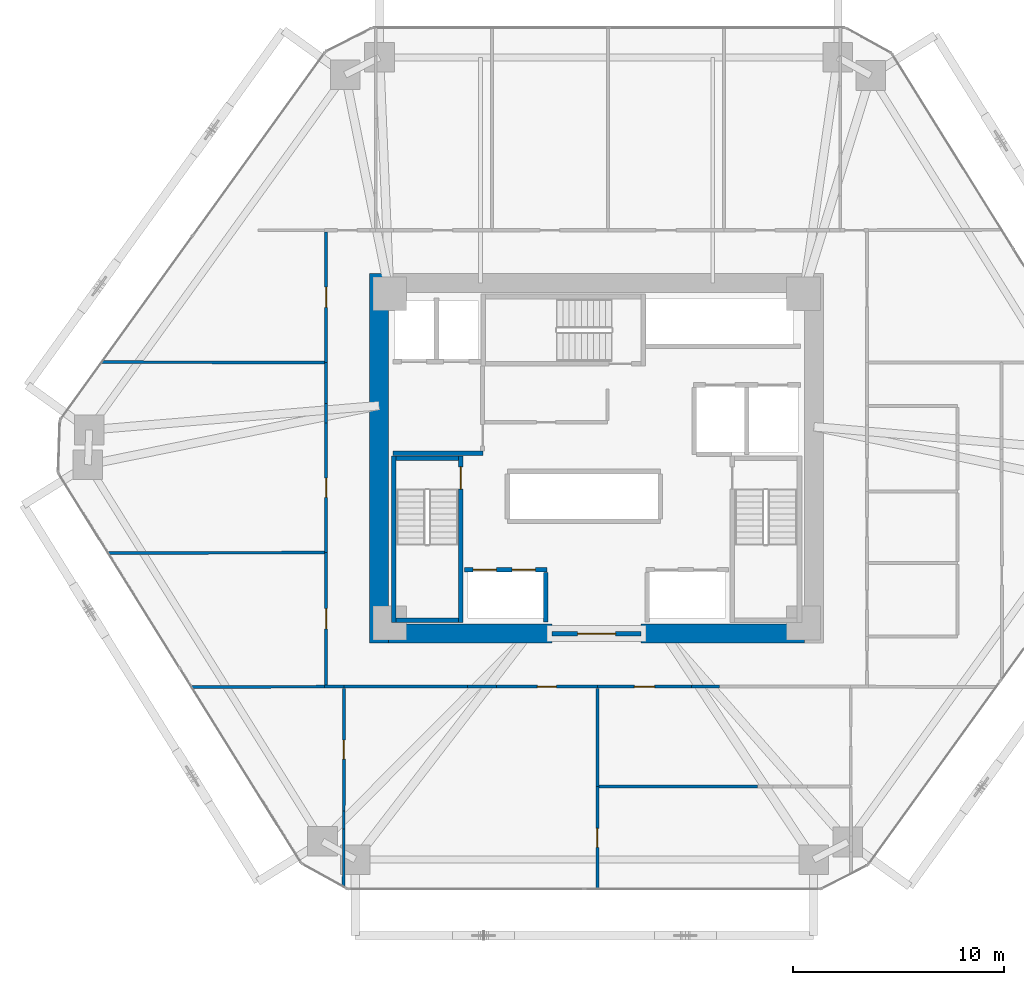
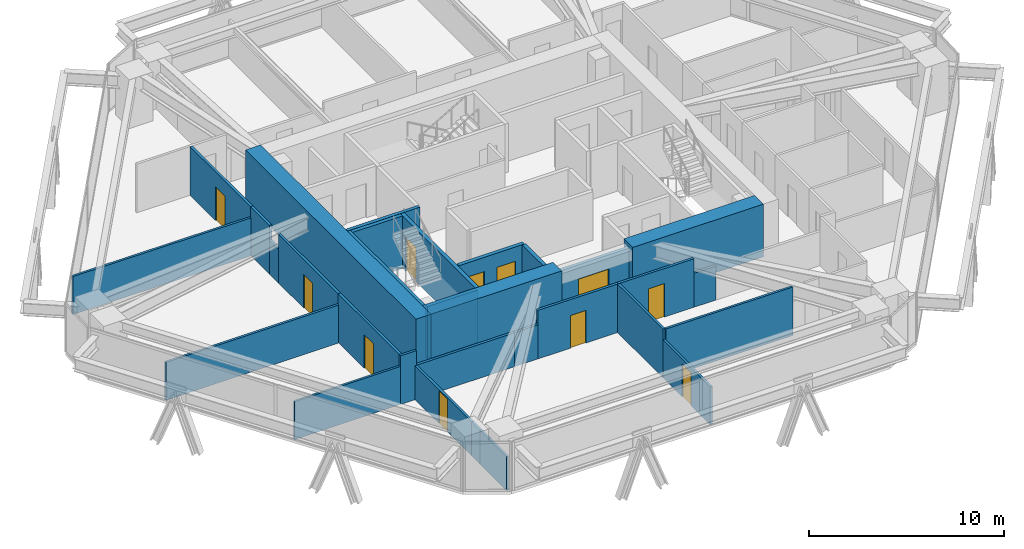
# One storey, part 13 of 17: 31 walls, 11 doors, 11 openings.
"""IFC4 building model written with IfcOpenShell, lengths in metres."""

from ifc_helpers import new_model, si_unit, direction, frame, frame_2d, origin, place, context, subcontext, project, spatial, rectangle, extrude, source, transform, mapped, material, layer, layer_set, type_object, type_shapes, element, fill, save


model = new_model("IFC4")

# Units and contexts
model_context = context("Model", 3, precision=1e-05, world=origin(), true_north=direction((0.0, 1.0)))
body_context = subcontext(model_context, "Body", "Model", "MODEL_VIEW")
ifc_project = project(units=[si_unit("LENGTHUNIT", "METRE"), si_unit("AREAUNIT", "SQUARE_METRE"), si_unit("VOLUMEUNIT", "CUBIC_METRE"), si_unit("PLANEANGLEUNIT", "RADIAN"), si_unit("MASSUNIT", "GRAM", prefix="KILO")], contexts=[model_context])

# Site, building, storey
site_placement = place(None, origin())
site = spatial("IfcSite", under=ifc_project, at=site_placement, CompositionType="ELEMENT")
building_placement = place(site_placement, origin())
building = spatial("IfcBuilding", under=site, at=building_placement, Name="Durnholm Broadcast Tower", CompositionType="ELEMENT")
storey_placement = place(building_placement, frame((0.0, 0.0, 72.0)))
storey = spatial("IfcBuildingStorey", under=building, at=storey_placement, Name="L18", CompositionType="ELEMENT", Elevation=72.0)

# Walls
ifc_material_1 = material(Name="Concrete C70/85", Category="concrete")
ifc_layer_1 = layer(ifc_material_1, 0.89990234375)
ifc_layer_set_1 = layer_set([ifc_layer_1], Name="Concrete C70/85")
wall_type_1 = type_object("IfcWallType", Name="WALL-CW-900", PredefinedType="SHEAR", material=ifc_layer_set_1)
wall_1_placement = place(storey_placement, frame((-10.300048828125, -8.75, 0.0), z_axis=(0.0, 0.0, 1.0), x_axis=(0.0, 1.0, 0.0)))
element("IfcWall", 1, at=wall_1_placement, inside=storey, type_object=wall_type_1, Name="L18 central core shear wall CW-WEST", PredefinedType="SHEAR", context=body_context, shape_type="SweptSolid", body=[
    extrude(rectangle(XDim=17.5, YDim=0.89990234375, at=frame_2d((8.75, 0.0))), origin(), (0.0, 0.0, 1.0), 3.300048828125),
])
for number, where, z_axis, x_axis, name in (
    (2, (-9.85009765625, -8.300048828125, 0.0), (0.0, 0.0, 1.0), (1.0, 0.0, 0.0), "L18 central core shear wall CW-S1"),
    (3, (2.10009765625, -8.300048828125, 0.0), (0.0, 0.0, 1.0), (1.0, 0.0, 0.0), "L18 central core shear wall CW-S2"),
):
    element("IfcWall", number, at=place(storey_placement, frame(where, z_axis=z_axis, x_axis=x_axis)), inside=storey, type_object=wall_type_1, Name=name, PredefinedType="SHEAR", context=body_context, shape_type="SweptSolid", body=[
        extrude(rectangle(XDim=7.75, YDim=0.89990234375, at=frame_2d((3.875, 0.0))), origin(), (0.0, 0.0, 1.0), 3.300048828125),
    ])

# Wall, opening, door
ifc_material_2 = material(Name="Fire-Rated Gypsum Shaftwall", Category="concrete")
ifc_layer_2 = layer(ifc_material_2, 0.199951171875)
ifc_layer_set_2 = layer_set([ifc_layer_2], Name="Fire-Rated Gypsum Shaftwall")
wall_type_2 = type_object("IfcWallType", Name="WALL-LOB-200", PredefinedType="SOLIDWALL", material=ifc_layer_set_2)
wall_2_placement = place(storey_placement, frame((-2.10009765625, -8.300048828125, 0.0), z_axis=(0.0, 0.0, 1.0), x_axis=(1.0, 0.0, 0.0)))
wall_2 = element("IfcWall", 4, at=wall_2_placement, inside=storey, type_object=wall_type_2, Name="L18 south core lobby fire screen", PredefinedType="SOLIDWALL", context=body_context, shape_type="SweptSolid", body=[
    extrude(rectangle(XDim=4.2001953125, YDim=0.199951171875, at=frame_2d((2.10009765625, 0.0))), origin(), (0.0, 0.0, 1.0), 3.044921875),
])
opening_1_placement = place(wall_2_placement, frame((1.199951171875, 0.0, 0.0)))
opening_1 = element("IfcOpeningElement", 5, at=opening_1_placement, cuts=wall_2, Name="Opening DP-60", PredefinedType="OPENING", context=body_context, shape_type="SweptSolid", body=[
    extrude(rectangle(XDim=1.800048828125, YDim=2.14990234375, at=frame_2d((0.89990234375, 1.074951171875))), frame((0.0, 0.10986328125, 0.0), z_axis=(0.0, -1.0, 0.0), x_axis=(1.0, 0.0, 0.0)), (0.0, 0.0, 1.0), 0.219970703125),
])
ifc_material_3 = material(Name="Fire-Rated Double Corridor Door", Category="steel")
ifc_layer_3 = layer(ifc_material_3, 0.050048828125)
ifc_layer_set_3 = layer_set([ifc_layer_3], Name="Fire-Rated Double Corridor Door")
door_type_1 = type_object("IfcDoorType", Name="DOOR-PAIR-FD60", OperationType="DOUBLE_DOOR_SINGLE_SWING", PredefinedType="DOOR", material=ifc_layer_set_3)
shared_shape_1 = source(origin(), body_context, "Body", "SweptSolid", [
    extrude(rectangle(XDim=1.800048828125, YDim=2.14990234375, at=frame_2d((0.89990234375, 1.074951171875))), frame((0.0, 0.02490234375, 0.0), z_axis=(0.0, -1.0, 0.0), x_axis=(1.0, 0.0, 0.0)), (0.0, 0.0, 1.0), 0.050048828125),
])
type_shapes(door_type_1, [shared_shape_1])
door_1_placement = place(opening_1_placement, origin())
door_1 = element("IfcDoor", 6, at=door_1_placement, inside=storey, type_object=door_type_1, Name="L18 south core lobby double fire door", OperationType="DOUBLE_DOOR_SINGLE_SWING", OverallHeight=2.14990234375, OverallWidth=1.800048828125, PredefinedType="DOOR", context=body_context, shape_type="MappedRepresentation", body=[
    mapped(shared_shape_1, transform((0.0, 0.0, 0.0), x_axis=(1.0, 0.0, 0.0), y_axis=(0.0, 1.0, 0.0), z_axis=(0.0, 0.0, 1.0), scale=1.0)),
])
fill(opening_1, door_1)

# Wall
wall_3_placement = place(storey_placement, frame((-9.64990234375, 0.25, 0.0), z_axis=(0.0, 0.0, 1.0), x_axis=(1.0, 0.0, 0.0)))
element("IfcWall", 7, at=wall_3_placement, inside=storey, type_object=wall_type_2, Name="L18 Fire Service Access Elevator lobby south wall", PredefinedType="SOLIDWALL", context=body_context, shape_type="SweptSolid", body=[
    extrude(rectangle(XDim=4.27001953125, YDim=0.199951171875, at=frame_2d((2.135009765625, 0.0))), origin(), (0.0, 0.0, 1.0), 3.044921875),
])

# Wall, opening, door
ifc_material_4 = material(Name="Gypsum Metal Stud Partition", Category="concrete")
ifc_layer_4 = layer(ifc_material_4, 0.135009765625)
ifc_layer_set_4 = layer_set([ifc_layer_4], Name="Gypsum Metal Stud Partition")
wall_type_3 = type_object("IfcWallType", Name="WALL-PART-135", PredefinedType="PARTITIONING", material=ifc_layer_set_4)
wall_4_placement = place(storey_placement, frame((-11.960205078125, -10.888916015625, 0.0), z_axis=(0.0, 0.0, 1.0), x_axis=(-0.002018838416, -0.999997962144, 0.0)))
wall_4 = element("IfcWall", 8, at=wall_4_placement, inside=storey, type_object=wall_type_3, Name="L18 room dividing partition 11.12", PredefinedType="PARTITIONING", context=body_context, shape_type="SweptSolid", body=[
    extrude(rectangle(XDim=5.8046875, YDim=0.135009765625, at=frame_2d((2.90234375, 0.0))), origin(), (0.0, 0.0, 1.0), 2.130126953125),
])
opening_2_placement = place(wall_4_placement, frame((2.452392578125, 0.0, 0.0)))
opening_2 = element("IfcOpeningElement", 9, at=opening_2_placement, cuts=wall_4, Name="Opening DW-90L", PredefinedType="OPENING", context=body_context, shape_type="SweptSolid", body=[
    extrude(rectangle(XDim=0.89990234375, YDim=2.050048828125, at=frame_2d((0.449951171875, 1.02490234375))), frame((0.0, 0.07763671875, 0.0), z_axis=(0.0, -1.0, 0.0), x_axis=(1.0, 0.0, 0.0)), (0.0, 0.0, 1.0), 0.155029296875),
])
ifc_material_5 = material(Name="Laminate Restroom Door", Category="steel")
ifc_layer_5 = layer(ifc_material_5, 0.050048828125)
ifc_layer_set_5 = layer_set([ifc_layer_5], Name="Laminate Restroom Door")
door_type_2 = type_object("IfcDoorType", Name="DOOR-WC-900L", OperationType="NOTDEFINED", PredefinedType="DOOR", material=ifc_layer_set_5)
shared_shape_2 = source(origin(), body_context, "Body", "SweptSolid", [
    extrude(rectangle(XDim=0.89990234375, YDim=2.050048828125, at=frame_2d((0.449951171875, 1.02490234375))), frame((0.0, 0.02490234375, 0.0), z_axis=(0.0, -1.0, 0.0), x_axis=(1.0, 0.0, 0.0)), (0.0, 0.0, 1.0), 0.050048828125),
])
type_shapes(door_type_2, [shared_shape_2])
door_2_placement = place(opening_2_placement, origin())
door_2 = element("IfcDoor", 10, at=door_2_placement, inside=storey, type_object=door_type_2, Name="L18 Script Office connecting door", OperationType="SINGLE_SWING_LEFT", OverallHeight=2.050048828125, OverallWidth=0.89990234375, PredefinedType="DOOR", context=body_context, shape_type="MappedRepresentation", body=[
    mapped(shared_shape_2, transform((0.0, 0.0, 0.0), x_axis=(1.0, 0.0, 0.0), y_axis=(0.0, 1.0, 0.0), z_axis=(0.0, 0.0, 1.0), scale=1.0)),
])
fill(opening_2, door_2)

# Walls
wall_5_placement = place(storey_placement, frame((-11.973876953125, -17.552001953125, 0.0), z_axis=(0.0, 0.0, 1.0), x_axis=(-0.002045713055, -0.999997907527, 0.0)))
element("IfcWall", 11, at=wall_5_placement, inside=storey, type_object=wall_type_3, Name="L18 room dividing partition 11.12", PredefinedType="PARTITIONING", context=body_context, shape_type="SweptSolid", body=[
    extrude(rectangle(XDim=2.744873046875, YDim=0.135009765625, at=frame_2d((1.37255859375, 0.0))), origin(), (0.0, 0.0, 1.0), 2.130126953125),
])
wall_6_placement = place(storey_placement, frame((-11.971923828125, -16.693603515625, 0.0), z_axis=(0.0, 0.0, 1.0), x_axis=(-0.002275306966, -0.999997411486, 0.0)))
element("IfcWall", 12, at=wall_6_placement, inside=storey, type_object=wall_type_3, Name="L18 room dividing partition 11.12", PredefinedType="PARTITIONING", context=body_context, shape_type="SweptSolid", body=[
    extrude(rectangle(XDim=0.8583984375, YDim=0.135009765625, at=frame_2d((0.42919921875, 0.0))), origin(), (0.0, 0.0, 1.0), 2.130126953125),
])
wall_7_placement = place(storey_placement, frame((-19.18212890625, -10.831298828125, 0.0), z_axis=(0.0, 0.0, 1.0), x_axis=(0.999994432845, 0.003336806783, 0.0)))
element("IfcWall", 13, at=wall_7_placement, inside=storey, type_object=wall_type_3, Name="L18 room dividing partition 11.16", PredefinedType="PARTITIONING", context=body_context, shape_type="SweptSolid", body=[
    extrude(rectangle(XDim=6.292236328125, YDim=0.135009765625, at=frame_2d((3.14599609375, 0.0))), origin(), (0.0, 0.0, 1.0), 2.3798828125),
])

# Wall, opening, door
wall_8_placement = place(storey_placement, frame((0.0400390625, -15.544921875, 0.0), z_axis=(0.0, 0.0, 1.0), x_axis=(0.0, -1.0, 0.0)))
wall_8 = element("IfcWall", 14, at=wall_8_placement, inside=storey, type_object=wall_type_3, Name="L18 room dividing partition 12.13", PredefinedType="PARTITIONING", context=body_context, shape_type="SweptSolid", body=[
    extrude(rectangle(XDim=4.85498046875, YDim=0.135009765625, at=frame_2d((2.427490234375, 0.0))), origin(), (0.0, 0.0, 1.0), 2.3798828125),
])
opening_3_placement = place(wall_8_placement, frame((1.9775390625, 0.0, 0.0)))
opening_3 = element("IfcOpeningElement", 15, at=opening_3_placement, cuts=wall_8, Name="Opening DW-90L", PredefinedType="OPENING", context=body_context, shape_type="SweptSolid", body=[
    extrude(rectangle(XDim=0.89990234375, YDim=2.050048828125, at=frame_2d((0.449951171875, 1.02490234375))), frame((0.0, 0.07763671875, 0.0), z_axis=(0.0, -1.0, 0.0), x_axis=(1.0, 0.0, 0.0)), (0.0, 0.0, 1.0), 0.155029296875),
])
door_3_placement = place(opening_3_placement, origin())
door_3 = element("IfcDoor", 16, at=door_3_placement, inside=storey, type_object=door_type_2, Name="L18 Production Lounge connecting door", OperationType="SINGLE_SWING_LEFT", OverallHeight=2.050048828125, OverallWidth=0.89990234375, PredefinedType="DOOR", context=body_context, shape_type="MappedRepresentation", body=[
    mapped(shared_shape_2, transform((0.0, 0.0, 0.0), x_axis=(1.0, 0.0, 0.0), y_axis=(0.0, 1.0, 0.0), z_axis=(0.0, 0.0, 1.0), scale=1.0)),
])
fill(opening_3, door_3)

# Walls
wall_9_placement = place(storey_placement, frame((0.0400390625, -10.888916015625, 0.0), z_axis=(0.0, 0.0, 1.0), x_axis=(0.0, -1.0, 0.0)))
element("IfcWall", 17, at=wall_9_placement, inside=storey, type_object=wall_type_3, Name="L18 room dividing partition 12.14", PredefinedType="PARTITIONING", context=body_context, shape_type="SweptSolid", body=[
    extrude(rectangle(XDim=4.656005859375, YDim=0.135009765625, at=frame_2d((2.328125, 0.0))), origin(), (0.0, 0.0, 1.0), 3.044921875),
])
wall_10_placement = place(storey_placement, frame((0.111572265625, -15.544921875, 0.0), z_axis=(0.0, 0.0, 1.0), x_axis=(1.0, 0.0, 0.0)))
element("IfcWall", 18, at=wall_10_placement, inside=storey, type_object=wall_type_3, Name="L18 room dividing partition 13.14", PredefinedType="PARTITIONING", context=body_context, shape_type="SweptSolid", body=[
    extrude(rectangle(XDim=7.52197265625, YDim=0.135009765625, at=frame_2d((3.760986328125, 0.0))), origin(), (0.0, 0.0, 1.0), 3.044921875),
])
wall_11_placement = place(storey_placement, frame((-23.13623046875, -4.481201171875, 0.0), z_axis=(0.0, 0.0, 1.0), x_axis=(0.999997900937, 0.00204893192, 0.0)))
element("IfcWall", 19, at=wall_11_placement, inside=storey, type_object=wall_type_3, Name="L18 room dividing partition 16.17", PredefinedType="PARTITIONING", context=body_context, shape_type="SweptSolid", body=[
    extrude(rectangle(XDim=10.247314453125, YDim=0.135009765625, at=frame_2d((5.12353515625, 0.0))), origin(), (0.0, 0.0, 1.0), 2.3798828125),
])
wall_12_placement = place(storey_placement, frame((-23.4423828125, 4.5634765625, 0.0), z_axis=(0.0, 0.0, 1.0), x_axis=(0.999997585065, -0.002197695204, 0.0)))
element("IfcWall", 20, at=wall_12_placement, inside=storey, type_object=wall_type_3, Name="L18 room dividing partition 17.18", PredefinedType="PARTITIONING", context=body_context, shape_type="SweptSolid", body=[
    extrude(rectangle(XDim=10.553466796875, YDim=0.135009765625, at=frame_2d((5.27685546875, 0.0))), origin(), (0.0, 0.0, 1.0), 2.3798828125),
])
ifc_material_6 = material(Name="Acoustic Gypsum Stud Partition", Category="concrete")
ifc_layer_6 = layer(ifc_material_6, 0.14990234375)
ifc_layer_set_6 = layer_set([ifc_layer_6], Name="Acoustic Gypsum Stud Partition")
wall_type_4 = type_object("IfcWallType", Name="WALL-PART-150", PredefinedType="PARTITIONING", material=ifc_layer_set_6)
wall_13_placement = place(storey_placement, frame((-12.889892578125, -10.81005859375, 0.0), z_axis=(0.0, 0.0, 1.0), x_axis=(1.0, 0.0, 0.0)))
element("IfcWall", 21, at=wall_13_placement, inside=storey, type_object=wall_type_4, Name="L18 Script Office corridor partition", PredefinedType="PARTITIONING", context=body_context, shape_type="SweptSolid", body=[
    extrude(rectangle(XDim=0.929931640625, YDim=0.14990234375, at=frame_2d((0.46484375, 0.0))), origin(), (0.0, 0.0, 1.0), 3.044921875),
])
wall_14_placement = place(storey_placement, frame((-11.9599609375, -10.81005859375, 0.0), z_axis=(0.0, 0.0, 1.0), x_axis=(1.0, 0.0, 0.0)))
element("IfcWall", 22, at=wall_14_placement, inside=storey, type_object=wall_type_4, Name="L18 Archive Store corridor partition", PredefinedType="PARTITIONING", context=body_context, shape_type="SweptSolid", body=[
    extrude(rectangle(XDim=5.83837890625, YDim=0.14990234375, at=frame_2d((2.919189453125, 0.0))), origin(), (0.0, 0.0, 1.0), 2.130126953125),
])

# Wall, opening, door
wall_15_placement = place(storey_placement, frame((-4.749755859375, -10.81005859375, 0.0), z_axis=(0.0, 0.0, 1.0), x_axis=(1.0, 0.0, 0.0)))
wall_15 = element("IfcWall", 23, at=wall_15_placement, inside=storey, type_object=wall_type_4, Name="L18 Archive Store corridor partition", PredefinedType="PARTITIONING", context=body_context, shape_type="SweptSolid", body=[
    extrude(rectangle(XDim=4.789794921875, YDim=0.14990234375, at=frame_2d((2.39501953125, 0.0))), origin(), (0.0, 0.0, 1.0), 3.044921875),
])
opening_4_placement = place(wall_15_placement, frame((1.94482421875, 0.0, 0.0)))
opening_4 = element("IfcOpeningElement", 24, at=opening_4_placement, cuts=wall_15, Name="Opening DC-60L", PredefinedType="OPENING", context=body_context, shape_type="SweptSolid", body=[
    extrude(rectangle(XDim=0.89990234375, YDim=2.050048828125, at=frame_2d((0.449951171875, 1.02490234375))), frame((0.0, 0.0849609375, 0.0), z_axis=(0.0, -1.0, 0.0), x_axis=(1.0, 0.0, 0.0)), (0.0, 0.0, 1.0), 0.169921875),
])
ifc_material_7 = material(Name="Fire-Rated Core Service Door", Category="steel")
ifc_layer_7 = layer(ifc_material_7, 0.050048828125)
ifc_layer_set_7 = layer_set([ifc_layer_7], Name="Fire-Rated Core Service Door")
door_type_3 = type_object("IfcDoorType", Name="DOOR-CORE-FD60-L", OperationType="NOTDEFINED", PredefinedType="DOOR", material=ifc_layer_set_7)
shared_shape_3 = source(origin(), body_context, "Body", "SweptSolid", [
    extrude(rectangle(XDim=0.89990234375, YDim=2.050048828125, at=frame_2d((0.449951171875, 1.02490234375))), frame((0.0, 0.02490234375, 0.0), z_axis=(0.0, -1.0, 0.0), x_axis=(1.0, 0.0, 0.0)), (0.0, 0.0, 1.0), 0.050048828125),
])
type_shapes(door_type_3, [shared_shape_3])
door_4_placement = place(opening_4_placement, origin())
door_4 = element("IfcDoor", 25, at=door_4_placement, inside=storey, type_object=door_type_3, Name="L18 Archive Store entrance door", OperationType="SINGLE_SWING_LEFT", OverallHeight=2.050048828125, OverallWidth=0.89990234375, PredefinedType="DOOR", context=body_context, shape_type="MappedRepresentation", body=[
    mapped(shared_shape_3, transform((0.0, 0.0, 0.0), x_axis=(1.0, 0.0, 0.0), y_axis=(0.0, 1.0, 0.0), z_axis=(0.0, 0.0, 1.0), scale=1.0)),
])
fill(opening_4, door_4)

# Wall
wall_16_placement = place(storey_placement, frame((-6.12158203125, -10.81005859375, 0.0), z_axis=(0.0, 0.0, 1.0), x_axis=(1.0, 0.0, 0.0)))
element("IfcWall", 26, at=wall_16_placement, inside=storey, type_object=wall_type_4, Name="L18 Archive Store corridor partition", PredefinedType="PARTITIONING", context=body_context, shape_type="SweptSolid", body=[
    extrude(rectangle(XDim=1.371826171875, YDim=0.14990234375, at=frame_2d((0.68603515625, 0.0))), origin(), (0.0, 0.0, 1.0), 2.130126953125),
])

# Wall, opening, door
wall_17_placement = place(storey_placement, frame((0.0400390625, -10.81005859375, 0.0), z_axis=(0.0, 0.0, 1.0), x_axis=(1.0, 0.0, 0.0)))
wall_17 = element("IfcWall", 27, at=wall_17_placement, inside=storey, type_object=wall_type_4, Name="L18 Documentary Office 1 corridor partition", PredefinedType="PARTITIONING", context=body_context, shape_type="SweptSolid", body=[
    extrude(rectangle(XDim=4.459228515625, YDim=0.14990234375, at=frame_2d((2.2294921875, 0.0))), origin(), (0.0, 0.0, 1.0), 3.044921875),
])
opening_5_placement = place(wall_17_placement, frame((1.754638671875, 0.0, 0.0)))
opening_5 = element("IfcOpeningElement", 28, at=opening_5_placement, cuts=wall_17, Name="Opening DR-95R", PredefinedType="OPENING", context=body_context, shape_type="SweptSolid", body=[
    extrude(rectangle(XDim=0.949951171875, YDim=2.10009765625, at=frame_2d((0.47509765625, 1.050048828125))), frame((0.0, 0.0849609375, 0.0), z_axis=(0.0, -1.0, 0.0), x_axis=(1.0, 0.0, 0.0)), (0.0, 0.0, 1.0), 0.169921875),
])
ifc_material_8 = material(Name="Acoustic Oak Veneer Timber Door", Category="wood")
ifc_layer_8 = layer(ifc_material_8, 0.050048828125)
ifc_layer_set_8 = layer_set([ifc_layer_8], Name="Acoustic Oak Veneer Timber Door")
door_type_4 = type_object("IfcDoorType", Name="DOOR-RM-950R", OperationType="NOTDEFINED", PredefinedType="DOOR", material=ifc_layer_set_8)
shared_shape_4 = source(origin(), body_context, "Body", "SweptSolid", [
    extrude(rectangle(XDim=0.949951171875, YDim=2.10009765625, at=frame_2d((0.47509765625, 1.050048828125))), frame((0.0, 0.02490234375, 0.0), z_axis=(0.0, -1.0, 0.0), x_axis=(1.0, 0.0, 0.0)), (0.0, 0.0, 1.0), 0.050048828125),
])
type_shapes(door_type_4, [shared_shape_4])
door_5_placement = place(opening_5_placement, origin())
door_5 = element("IfcDoor", 29, at=door_5_placement, inside=storey, type_object=door_type_4, Name="L18 Documentary Office 1 entrance door", OperationType="SINGLE_SWING_RIGHT", OverallHeight=2.10009765625, OverallWidth=0.949951171875, PredefinedType="DOOR", context=body_context, shape_type="MappedRepresentation", body=[
    mapped(shared_shape_4, transform((0.0, 0.0, 0.0), x_axis=(1.0, 0.0, 0.0), y_axis=(0.0, 1.0, 0.0), z_axis=(0.0, 0.0, 1.0), scale=1.0)),
])
fill(opening_5, door_5)

# Wall
wall_18_placement = place(storey_placement, frame((4.499267578125, -10.81005859375, 0.0), z_axis=(0.0, 0.0, 1.0), x_axis=(1.0, 0.0, 0.0)))
element("IfcWall", 30, at=wall_18_placement, inside=storey, type_object=wall_type_4, Name="L18 Documentary Office 1 corridor partition", PredefinedType="PARTITIONING", context=body_context, shape_type="SweptSolid", body=[
    extrude(rectangle(XDim=1.318115234375, YDim=0.14990234375, at=frame_2d((0.6591796875, 0.0))), origin(), (0.0, 0.0, 1.0), 2.130126953125),
])

# Wall, opening, door
wall_19_placement = place(storey_placement, frame((-12.81005859375, -4.4599609375, 0.0), z_axis=(0.0, 0.0, 1.0), x_axis=(0.0, -1.0, 0.0)))
wall_19 = element("IfcWall", 31, at=wall_19_placement, inside=storey, type_object=wall_type_4, Name="L18 Post Edit Office 1 corridor partition", PredefinedType="PARTITIONING", context=body_context, shape_type="SweptSolid", body=[
    extrude(rectangle(XDim=6.27099609375, YDim=0.14990234375, at=frame_2d((3.135498046875, 0.0))), origin(), (0.0, 0.0, 1.0), 3.044921875),
])
opening_6_placement = place(wall_19_placement, frame((2.660400390625, 0.0, 0.0)))
opening_6 = element("IfcOpeningElement", 32, at=opening_6_placement, cuts=wall_19, Name="Opening DR-95R", PredefinedType="OPENING", context=body_context, shape_type="SweptSolid", body=[
    extrude(rectangle(XDim=0.949951171875, YDim=2.10009765625, at=frame_2d((0.47509765625, 1.050048828125))), frame((0.0, 0.0849609375, 0.0), z_axis=(0.0, -1.0, 0.0), x_axis=(1.0, 0.0, 0.0)), (0.0, 0.0, 1.0), 0.169921875),
])
door_6_placement = place(opening_6_placement, origin())
door_6 = element("IfcDoor", 33, at=door_6_placement, inside=storey, type_object=door_type_4, Name="L18 Post Edit Office 1 entrance door", OperationType="SINGLE_SWING_RIGHT", OverallHeight=2.10009765625, OverallWidth=0.949951171875, PredefinedType="DOOR", context=body_context, shape_type="MappedRepresentation", body=[
    mapped(shared_shape_4, transform((0.0, 0.0, 0.0), x_axis=(1.0, 0.0, 0.0), y_axis=(0.0, 1.0, 0.0), z_axis=(0.0, 0.0, 1.0), scale=1.0)),
])
fill(opening_6, door_6)

# Wall
wall_20_placement = place(storey_placement, frame((-12.81005859375, 4.5400390625, 0.0), z_axis=(0.0, 0.0, 1.0), x_axis=(0.0, -1.0, 0.0)))
element("IfcWall", 34, at=wall_20_placement, inside=storey, type_object=wall_type_4, Name="L18 Post Edit Office 2 corridor partition", PredefinedType="PARTITIONING", context=body_context, shape_type="SweptSolid", body=[
    extrude(rectangle(XDim=1.94775390625, YDim=0.14990234375, at=frame_2d((0.973876953125, 0.0))), origin(), (0.0, 0.0, 1.0), 3.044921875),
])

# Wall, opening, door
wall_21_placement = place(storey_placement, frame((-12.81005859375, 1.682373046875, 0.0), z_axis=(0.0, 0.0, 1.0), x_axis=(0.0, -1.0, 0.0)))
wall_21 = element("IfcWall", 35, at=wall_21_placement, inside=storey, type_object=wall_type_4, Name="L18 Post Edit Office 2 corridor partition", PredefinedType="PARTITIONING", context=body_context, shape_type="SweptSolid", body=[
    extrude(rectangle(XDim=6.142333984375, YDim=0.14990234375, at=frame_2d((3.0712890625, 0.0))), origin(), (0.0, 0.0, 1.0), 3.044921875),
])
opening_7_placement = place(wall_21_placement, frame((2.611083984375, 0.0, 0.0)))
opening_7 = element("IfcOpeningElement", 36, at=opening_7_placement, cuts=wall_21, Name="Opening DR-92L", PredefinedType="OPENING", context=body_context, shape_type="SweptSolid", body=[
    extrude(rectangle(XDim=0.919921875, YDim=2.10009765625, at=frame_2d((0.4599609375, 1.050048828125))), frame((0.0, 0.0849609375, 0.0), z_axis=(0.0, -1.0, 0.0), x_axis=(1.0, 0.0, 0.0)), (0.0, 0.0, 1.0), 0.169921875),
])
ifc_material_9 = material(Name="Oak Veneer Office Door", Category="wood")
ifc_layer_9 = layer(ifc_material_9, 0.050048828125)
ifc_layer_set_9 = layer_set([ifc_layer_9], Name="Oak Veneer Office Door")
door_type_5 = type_object("IfcDoorType", Name="DOOR-RM-920L", OperationType="NOTDEFINED", PredefinedType="DOOR", material=ifc_layer_set_9)
shared_shape_5 = source(origin(), body_context, "Body", "SweptSolid", [
    extrude(rectangle(XDim=0.919921875, YDim=2.10009765625, at=frame_2d((0.4599609375, 1.050048828125))), frame((0.0, 0.02490234375, 0.0), z_axis=(0.0, -1.0, 0.0), x_axis=(1.0, 0.0, 0.0)), (0.0, 0.0, 1.0), 0.050048828125),
])
type_shapes(door_type_5, [shared_shape_5])
door_7_placement = place(opening_7_placement, origin())
door_7 = element("IfcDoor", 37, at=door_7_placement, inside=storey, type_object=door_type_5, Name="L18 Post Edit Office 2 entrance door", OperationType="SINGLE_SWING_LEFT", OverallHeight=2.10009765625, OverallWidth=0.919921875, PredefinedType="DOOR", context=body_context, shape_type="MappedRepresentation", body=[
    mapped(shared_shape_5, transform((0.0, 0.0, 0.0), x_axis=(1.0, 0.0, 0.0), y_axis=(0.0, 1.0, 0.0), z_axis=(0.0, 0.0, 1.0), scale=1.0)),
])
fill(opening_7, door_7)

# Wall
wall_22_placement = place(storey_placement, frame((-12.81005859375, 2.59228515625, 0.0), z_axis=(0.0, 0.0, 1.0), x_axis=(0.0, -1.0, 0.0)))
element("IfcWall", 38, at=wall_22_placement, inside=storey, type_object=wall_type_4, Name="L18 Post Edit Office 2 corridor partition", PredefinedType="PARTITIONING", context=body_context, shape_type="SweptSolid", body=[
    extrude(rectangle(XDim=0.909912109375, YDim=0.14990234375, at=frame_2d((0.455078125, 0.0))), origin(), (0.0, 0.0, 1.0), 2.130126953125),
])

# Wall, opening, door
wall_23_placement = place(storey_placement, frame((-12.81005859375, 10.73095703125, 0.0), z_axis=(0.0, 0.0, 1.0), x_axis=(0.0, -1.0, 0.0)))
wall_23 = element("IfcWall", 39, at=wall_23_placement, inside=storey, type_object=wall_type_4, Name="L18 Foley Office corridor partition", PredefinedType="PARTITIONING", context=body_context, shape_type="SweptSolid", body=[
    extrude(rectangle(XDim=6.19091796875, YDim=0.14990234375, at=frame_2d((3.095458984375, 0.0))), origin(), (0.0, 0.0, 1.0), 3.044921875),
])
opening_8_placement = place(wall_23_placement, frame((2.62060546875, 0.0, 0.0)))
opening_8 = element("IfcOpeningElement", 40, at=opening_8_placement, cuts=wall_23, Name="Opening DR-95R", PredefinedType="OPENING", context=body_context, shape_type="SweptSolid", body=[
    extrude(rectangle(XDim=0.949951171875, YDim=2.10009765625, at=frame_2d((0.47509765625, 1.050048828125))), frame((0.0, 0.0849609375, 0.0), z_axis=(0.0, -1.0, 0.0), x_axis=(1.0, 0.0, 0.0)), (0.0, 0.0, 1.0), 0.169921875),
])
door_8_placement = place(opening_8_placement, origin())
door_8 = element("IfcDoor", 41, at=door_8_placement, inside=storey, type_object=door_type_4, Name="L18 Foley Office entrance door", OperationType="SINGLE_SWING_RIGHT", OverallHeight=2.10009765625, OverallWidth=0.949951171875, PredefinedType="DOOR", context=body_context, shape_type="MappedRepresentation", body=[
    mapped(shared_shape_4, transform((0.0, 0.0, 0.0), x_axis=(1.0, 0.0, 0.0), y_axis=(0.0, 1.0, 0.0), z_axis=(0.0, 0.0, 1.0), scale=1.0)),
])
fill(opening_8, door_8)

# Wall, openings, doors
ifc_material_10 = material(Name="Concrete Blockwork C30/37", Category="masonry")
ifc_layer_10 = layer(ifc_material_10, 0.219970703125)
ifc_layer_set_10 = layer_set([ifc_layer_10], Name="Concrete Blockwork C30/37")
wall_type_5 = type_object("IfcWallType", Name="WALL-SHAFT-220", PredefinedType="SOLIDWALL", material=ifc_layer_set_10)
wall_24_placement = place(storey_placement, frame((-6.25, -5.280029296875, 0.0), z_axis=(0.0, 0.0, 1.0), x_axis=(1.0, 0.0, 0.0)))
wall_24 = element("IfcWall", 42, at=wall_24_placement, inside=storey, type_object=wall_type_5, Name="L18 low-rise bank P1 west front wall", PredefinedType="SOLIDWALL", context=body_context, shape_type="SweptSolid", body=[
    extrude(rectangle(XDim=3.89990234375, YDim=0.219970703125, at=frame_2d((1.949951171875, 0.0))), origin(), (0.0, 0.0, 1.0), 3.044921875),
])
opening_9_placement = place(wall_24_placement, frame((0.39990234375, 0.0, 0.0)))
opening_9 = element("IfcOpeningElement", 43, at=opening_9_placement, cuts=wall_24, Name="Opening LD-LP1-1", PredefinedType="OPENING", context=body_context, shape_type="SweptSolid", body=[
    extrude(rectangle(XDim=1.10009765625, YDim=2.14990234375, at=frame_2d((0.550048828125, 1.074951171875))), frame((0.0, 0.1201171875, 0.0), z_axis=(0.0, -1.0, 0.0), x_axis=(1.0, 0.0, 0.0)), (0.0, 0.0, 1.0), 0.239990234375),
])
opening_10_placement = place(wall_24_placement, frame((2.25, 0.0, 0.0)))
opening_10 = element("IfcOpeningElement", 44, at=opening_10_placement, cuts=wall_24, Name="Opening LD-LP1-2", PredefinedType="OPENING", context=body_context, shape_type="SweptSolid", body=[
    extrude(rectangle(XDim=1.10009765625, YDim=2.14990234375, at=frame_2d((0.550048828125, 1.074951171875))), frame((0.0, 0.1201171875, 0.0), z_axis=(0.0, -1.0, 0.0), x_axis=(1.0, 0.0, 0.0)), (0.0, 0.0, 1.0), 0.239990234375),
])
ifc_material_11 = material(Name="Stainless Steel Sliding Elevator Landing Door", Category="steel")
ifc_layer_11 = layer(ifc_material_11, 0.050048828125)
ifc_layer_set_11 = layer_set([ifc_layer_11], Name="Stainless Steel Sliding Elevator Landing Door")
door_type_6 = type_object("IfcDoorType", Name="DOOR-LIFT-PAX", OperationType="DOUBLE_DOOR_SLIDING", PredefinedType="DOOR", material=ifc_layer_set_11)
shared_shape_6 = source(origin(), body_context, "Body", "SweptSolid", [
    extrude(rectangle(XDim=1.10009765625, YDim=2.14990234375, at=frame_2d((0.550048828125, 1.074951171875))), frame((0.0, 0.02490234375, 0.0), z_axis=(0.0, -1.0, 0.0), x_axis=(1.0, 0.0, 0.0)), (0.0, 0.0, 1.0), 0.050048828125),
])
type_shapes(door_type_6, [shared_shape_6])
door_9_placement = place(opening_9_placement, origin())
door_9 = element("IfcDoor", 45, at=door_9_placement, inside=storey, type_object=door_type_6, Name="L18 passenger elevator LP1-1 sliding landing door", OperationType="DOUBLE_DOOR_SLIDING", OverallHeight=2.14990234375, OverallWidth=1.10009765625, PredefinedType="DOOR", context=body_context, shape_type="MappedRepresentation", body=[
    mapped(shared_shape_6, transform((0.0, 0.0, 0.0), x_axis=(1.0, 0.0, 0.0), y_axis=(0.0, 1.0, 0.0), z_axis=(0.0, 0.0, 1.0), scale=1.0)),
])
fill(opening_9, door_9)
door_10_placement = place(opening_10_placement, origin())
door_10 = element("IfcDoor", 46, at=door_10_placement, inside=storey, type_object=door_type_6, Name="L18 passenger elevator LP1-2 sliding landing door", OperationType="DOUBLE_DOOR_SLIDING", OverallHeight=2.14990234375, OverallWidth=1.10009765625, PredefinedType="DOOR", context=body_context, shape_type="MappedRepresentation", body=[
    mapped(shared_shape_6, transform((0.0, 0.0, 0.0), x_axis=(1.0, 0.0, 0.0), y_axis=(0.0, 1.0, 0.0), z_axis=(0.0, 0.0, 1.0), scale=1.0)),
])
fill(opening_10, door_10)

# Wall
wall_25_placement = place(storey_placement, frame((-2.39990234375, -7.75, 0.0), z_axis=(0.0, 0.0, 1.0), x_axis=(0.0, 1.0, 0.0)))
element("IfcWall", 47, at=wall_25_placement, inside=storey, type_object=wall_type_5, Name="L18 low-rise bank P1 west mouth wall", PredefinedType="SOLIDWALL", context=body_context, shape_type="SweptSolid", body=[
    extrude(rectangle(XDim=2.35595703125, YDim=0.219970703125, at=frame_2d((1.177978515625, 0.0))), origin(), (0.0, 0.0, 1.0), 3.044921875),
])

# Wall, opening, door
ifc_material_12 = material(Name="Concrete C50/60", Category="concrete")
ifc_layer_12 = layer(ifc_material_12, 0.219970703125)
ifc_layer_set_12 = layer_set([ifc_layer_12], Name="Concrete C50/60")
wall_type_6 = type_object("IfcWallType", Name="WALL-SW-220", PredefinedType="SHEAR", material=ifc_layer_set_12)
wall_26_placement = place(storey_placement, frame((-6.429931640625, -7.77001953125, -0.239990234375), z_axis=(0.0, 0.0, 1.0), x_axis=(0.0, 1.0, 0.0)))
wall_26 = element("IfcWall", 48, at=wall_26_placement, inside=storey, type_object=wall_type_6, Name="L18 stair ST-1 structural shaft wall E", PredefinedType="SHEAR", context=body_context, shape_type="SweptSolid", body=[
    extrude(rectangle(XDim=7.89013671875, YDim=0.219970703125, at=frame_2d((3.945068359375, 0.0))), origin(), (0.0, 0.0, 1.0), 3.300048828125),
])
opening_11_placement = place(wall_26_placement, frame((6.320068359375, 0.0, 0.0)))
opening_11 = element("IfcOpeningElement", 49, at=opening_11_placement, cuts=wall_26, Name="Opening DS-90L", PredefinedType="OPENING", context=body_context, shape_type="SweptSolid", body=[
    extrude(rectangle(XDim=1.050048828125, YDim=2.14990234375, at=frame_2d((0.52490234375, 1.074951171875))), frame((0.0, 0.1201171875, 0.0), z_axis=(0.0, -1.0, 0.0), x_axis=(1.0, 0.0, 0.0)), (0.0, 0.0, 1.0), 0.239990234375),
])
ifc_material_13 = material(Name="Fire-Rated Steel Door", Category="steel")
ifc_layer_13 = layer(ifc_material_13, 0.050048828125)
ifc_layer_set_13 = layer_set([ifc_layer_13], Name="Fire-Rated Steel Door")
door_type_7 = type_object("IfcDoorType", Name="DOOR-ST-FD90-L", OperationType="NOTDEFINED", PredefinedType="DOOR", material=ifc_layer_set_13)
shared_shape_7 = source(origin(), body_context, "Body", "SweptSolid", [
    extrude(rectangle(XDim=1.050048828125, YDim=2.14990234375, at=frame_2d((0.52490234375, 1.074951171875))), frame((0.0, 0.02490234375, 0.0), z_axis=(0.0, -1.0, 0.0), x_axis=(1.0, 0.0, 0.0)), (0.0, 0.0, 1.0), 0.050048828125),
])
type_shapes(door_type_7, [shared_shape_7])
door_11_placement = place(opening_11_placement, origin())
door_11 = element("IfcDoor", 50, at=door_11_placement, inside=storey, type_object=door_type_7, Name="L18 exit stair ST-1 fire door", OperationType="SINGLE_SWING_LEFT", OverallHeight=2.14990234375, OverallWidth=1.050048828125, PredefinedType="DOOR", context=body_context, shape_type="MappedRepresentation", body=[
    mapped(shared_shape_7, transform((0.0, 0.0, 0.0), x_axis=(1.0, 0.0, 0.0), y_axis=(0.0, 1.0, 0.0), z_axis=(0.0, 0.0, 1.0), scale=1.0)),
])
fill(opening_11, door_11)

# Walls
wall_27_placement = place(storey_placement, frame((-9.610107421875, 0.1201171875, -0.239990234375), z_axis=(0.0, 0.0, 1.0), x_axis=(0.0, -1.0, 0.0)))
element("IfcWall", 51, at=wall_27_placement, inside=storey, type_object=wall_type_6, Name="L18 stair ST-1 structural shaft wall W", PredefinedType="SHEAR", context=body_context, shape_type="SweptSolid", body=[
    extrude(rectangle(XDim=7.89013671875, YDim=0.219970703125, at=frame_2d((3.945068359375, 0.0))), origin(), (0.0, 0.0, 1.0), 3.300048828125),
])
for number, where, z_axis, x_axis, name in (
    (52, (-9.5, -7.659912109375, -0.239990234375), (0.0, 0.0, 1.0), (1.0, 0.0, 0.0), "L18 stair ST-1 structural shaft wall S"),
    (53, (-6.5400390625, 0.010009765625, -0.239990234375), (0.0, 0.0, 1.0), (-1.0, 0.0, 0.0), "L18 stair ST-1 structural shaft wall N"),
):
    element("IfcWall", number, at=place(storey_placement, frame(where, z_axis=z_axis, x_axis=x_axis)), inside=storey, type_object=wall_type_6, Name=name, PredefinedType="SHEAR", context=body_context, shape_type="SweptSolid", body=[
        extrude(rectangle(XDim=2.9599609375, YDim=0.219970703125, at=frame_2d((1.47998046875, 0.0))), origin(), (0.0, 0.0, 1.0), 3.300048828125),
    ])

save(model, "model.ifc")
